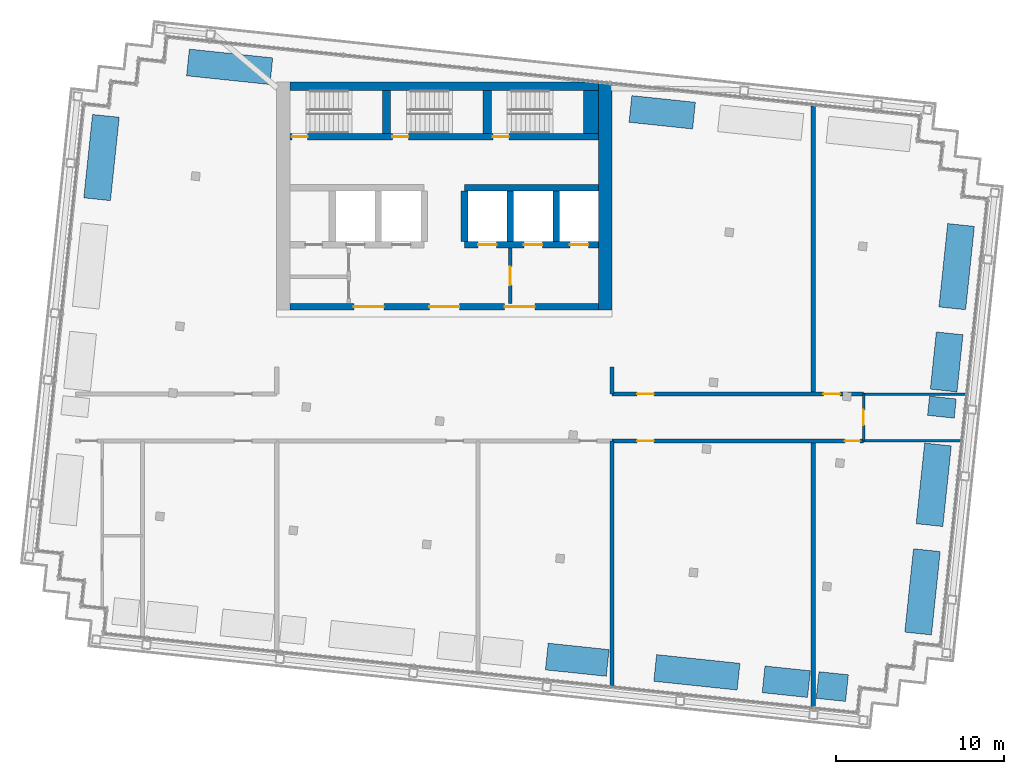
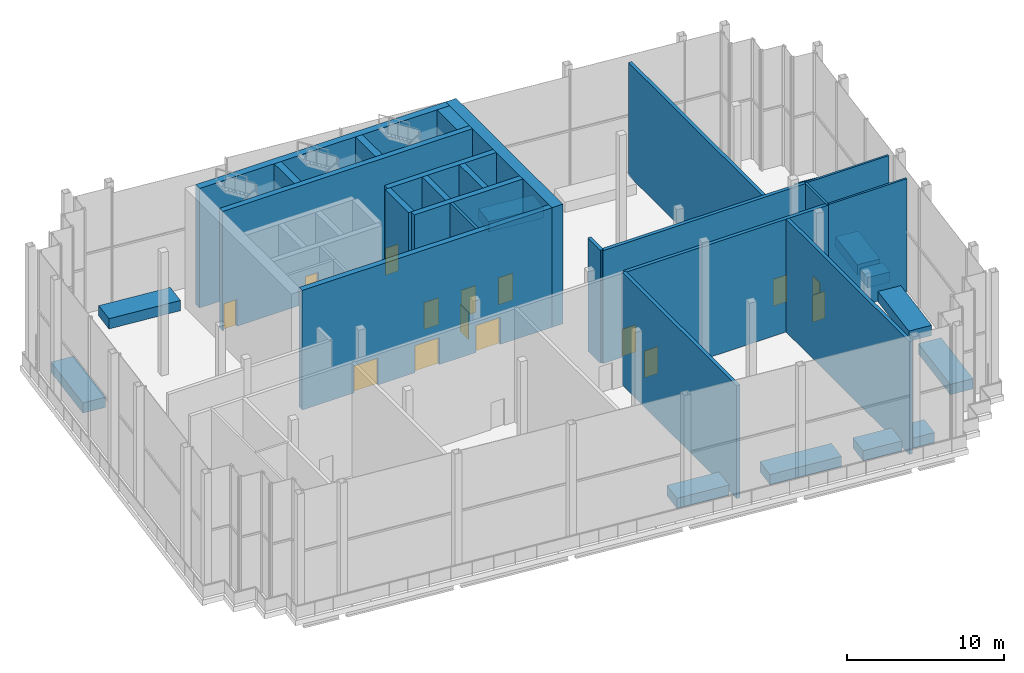
# One storey, part 9 of 14: 34 walls, 15 doors, 15 openings.
"""IFC4 building model written with IfcOpenShell, lengths in metres."""

import ifcopenshell
import ifcopenshell.guid

model = None  # the IFC model being written
_history = None  # IfcOwnerHistory: only IFC2X3 demands one
_inside = {}  # id of a spatial element -> (the spatial element, [elements in it])
_under = {}  # id of a project, library or spatial element -> (it, [spatial elements below it])
_declared = {}  # id of a project -> (the project, [libraries it declares])
_typed = {}  # id of a type object -> (the type object, [elements of that type])
_made_of = {}  # id of a material, layer set ... -> (it, [elements and type objects made of it])


def new_model(schema):
    """Start an empty IFC model of exactly this schema.

    Asked for "IFC4X3", IfcOpenShell would pick the latest addendum, in which some entities
    have other attributes; the version numbers below select the first issue.
    IFC2X3 requires an IfcOwnerHistory on every rooted entity: one is made here for all.
    """
    global model, _history
    if schema == "IFC4X3":
        model = ifcopenshell.file(schema_version=(4, 3, 0, 0))
    else:
        model = ifcopenshell.file(schema=schema)
    _inside.clear()
    _under.clear()
    _declared.clear()
    _typed.clear()
    _made_of.clear()
    _history = None
    if model.schema == "IFC2X3":
        org = make("IfcOrganization", Name="unknown")
        user = make(
            "IfcPersonAndOrganization",
            ThePerson=make("IfcPerson", FamilyName="unknown"),
            TheOrganization=org,
        )
        app = make(
            "IfcApplication",
            ApplicationDeveloper=org,
            Version="unknown",
            ApplicationFullName="unknown",
            ApplicationIdentifier="unknown",
        )
        _history = make(
            "IfcOwnerHistory",
            OwningUser=user,
            OwningApplication=app,
            ChangeAction="ADDED",
            CreationDate=0,
        )
    return model


def make(cls, **values):
    """One entity of the class cls with the attributes given. An attribute that is None is left unset."""
    return model.create_entity(
        cls, **{name: value for name, value in values.items() if value is not None}
    )


def rooted(cls, **values):
    """An entity with a GlobalId (a new one), such as an element, a storey or a relation."""
    return make(cls, GlobalId=ifcopenshell.guid.new(), OwnerHistory=_history, **values)


def si_unit(unit_type, name, prefix=None):
    """IfcSIUnit, for example si_unit("LENGTHUNIT", "METRE", prefix="MILLI")."""
    return make("IfcSIUnit", UnitType=unit_type, Prefix=prefix, Name=name)


def assignment(units):
    """IfcUnitAssignment: the units of a project."""
    return None if units is None else make("IfcUnitAssignment", Units=units)


def point(xyz):
    """IfcCartesianPoint."""
    return None if xyz is None else make("IfcCartesianPoint", Coordinates=xyz)


def direction(xyz):
    """IfcDirection."""
    return None if xyz is None else make("IfcDirection", DirectionRatios=xyz)


def frame(location, z_axis=None, x_axis=None):
    """IfcAxis2Placement3D, a coordinate frame: its origin and axes. An axis left out is left unset."""
    return make(
        "IfcAxis2Placement3D",
        Location=point(location),
        Axis=direction(z_axis),
        RefDirection=direction(x_axis),
    )


def frame_2d(location, x_axis=None):
    """IfcAxis2Placement2D, a coordinate frame in the plane: its origin and x axis."""
    return make(
        "IfcAxis2Placement2D", Location=point(location), RefDirection=direction(x_axis)
    )


def origin():
    """The frame at (0, 0, 0) with its axes left unset."""
    return frame((0.0, 0.0, 0.0))


def place(relative_to, where):
    """IfcLocalPlacement: puts the frame where relative to a parent placement (None: the world)."""
    return make(
        "IfcLocalPlacement", PlacementRelTo=relative_to, RelativePlacement=where
    )


def context(
    kind, dimensions, precision=None, world=None, true_north=None, identifier=None
):
    """IfcGeometricRepresentationContext, for example the 3D "Model" context."""
    return make(
        "IfcGeometricRepresentationContext",
        ContextIdentifier=identifier,
        ContextType=kind,
        CoordinateSpaceDimension=dimensions,
        Precision=precision,
        WorldCoordinateSystem=world,
        TrueNorth=true_north,
    )


def subcontext(parent, identifier, kind, view, scale=None):
    """IfcGeometricRepresentationSubContext, for example "Body" below "Model"."""
    return make(
        "IfcGeometricRepresentationSubContext",
        ContextIdentifier=identifier,
        ContextType=kind,
        ParentContext=parent,
        TargetScale=scale,
        TargetView=view,
    )


def project(units=None, contexts=None):
    """IfcProject with its units and contexts."""
    return rooted(
        "IfcProject",
        Name="project",
        RepresentationContexts=contexts,
        UnitsInContext=assignment(units),
    )


def spatial(cls, under=None, at=None, **own):
    """A site, building, storey or space (cls), placed at a placement, below another one or the project."""
    s = rooted(cls, ObjectPlacement=at, **own)
    if under is not None:
        _under.setdefault(under.id(), (under, []))[1].append(s)
    return s


def profile(cls, at=None, kind="AREA", **sizes):
    """A parametric profile (cls). Its sizes go by their IFC names, for example OverallWidth=200.0."""
    return make(cls, ProfileType=kind, Position=at, **sizes)


def rectangle(**sizes):
    """IfcRectangleProfileDef."""
    return profile("IfcRectangleProfileDef", **sizes)


def extrude(swept, where, along, depth):
    """IfcExtrudedAreaSolid: the profile swept, set in the frame where, extruded along a direction by depth."""
    return make(
        "IfcExtrudedAreaSolid",
        SweptArea=swept,
        Position=where,
        ExtrudedDirection=direction(along),
        Depth=depth,
    )


def shape(context_of_items, identifier, shape_type, items):
    """IfcShapeRepresentation: the items that make up one representation, for example the "Body"."""
    return make(
        "IfcShapeRepresentation",
        ContextOfItems=context_of_items,
        RepresentationIdentifier=identifier,
        RepresentationType=shape_type,
        Items=items,
    )


def material(Name=None, Category=None):
    """IfcMaterial."""
    return make("IfcMaterial", Name=Name, Category=Category)


def layer(
    of_material, thickness, ventilated=None, Name=None, Category=None, Priority=None
):
    """IfcMaterialLayer: one layer of a wall or slab, of a material (None: an air gap)."""
    return make(
        "IfcMaterialLayer",
        Material=of_material,
        LayerThickness=thickness,
        IsVentilated=ventilated,
        Name=Name,
        Category=Category,
        Priority=Priority,
    )


def layer_set(layers, Name=None):
    """IfcMaterialLayerSet."""
    return make("IfcMaterialLayerSet", MaterialLayers=layers, LayerSetName=Name)


def made_of(thing, what):
    """Note that an element or type object is made of a material, layer set ...; save() writes the relation."""
    if what is not None:
        _made_of.setdefault(what.id(), (what, []))[1].append(thing)
    return thing


def type_object(cls, material=None, **own):
    """A type object (cls), such as IfcWallType, which elements share."""
    return made_of(rooted(cls, **own), material)


def element(
    cls,
    number,
    at=None,
    inside=None,
    cuts=None,
    type_object=None,
    material=None,
    context=None,
    identifier="Body",
    shape_type=None,
    held_by="IfcProductDefinitionShape",
    body=None,
    shapes=None,
    **own,
):
    """One element of the class cls, such as IfcWall. Its Tag is "e" and its number.

    at: its placement. inside: the storey or other place that contains it. cuts: it is an
    opening in that element (IfcRelVoidsElement). A single representation is given by context,
    identifier, shape_type and body (its items); several are given by shapes. held_by: the class
    of the entity that holds the representations. save() writes the other relations.
    """
    e = rooted(cls, Tag="e%d" % number, ObjectPlacement=at, **own)
    if body is not None:
        shapes = [shape(context, identifier, shape_type, body)]
    if shapes is not None:
        e.Representation = make(held_by, Representations=shapes)
    if inside is not None:
        _inside.setdefault(inside.id(), (inside, []))[1].append(e)
    if cuts is not None:
        rooted(
            "IfcRelVoidsElement", RelatingBuildingElement=cuts, RelatedOpeningElement=e
        )
    if type_object is not None:
        _typed.setdefault(type_object.id(), (type_object, []))[1].append(e)
    return made_of(e, material)


def fill(opening, filler):
    """IfcRelFillsElement: the door or window that sits in an opening."""
    return rooted(
        "IfcRelFillsElement",
        RelatingOpeningElement=opening,
        RelatedBuildingElement=filler,
    )


def aggregate(whole, parts):
    """IfcRelAggregates: a whole, such as a stair, and the parts it consists of."""
    return rooted("IfcRelAggregates", RelatingObject=whole, RelatedObjects=parts)


def save(model, path):
    """Write the relations noted so far, then the file.

    IfcRelAggregates (storeys below a building ...), IfcRelContainedInSpatialStructure (elements
    in a storey), IfcRelDefinesByType, IfcRelAssociatesMaterial and IfcRelDeclares: one each for
    every whole, place, type object, material and project.
    """
    for whole, parts in _under.values():
        aggregate(whole, parts)
    for where, things in _inside.values():
        rooted(
            "IfcRelContainedInSpatialStructure",
            RelatedElements=things,
            RelatingStructure=where,
        )
    for kind, things in _typed.values():
        rooted("IfcRelDefinesByType", RelatedObjects=things, RelatingType=kind)
    for what, things in _made_of.values():
        rooted("IfcRelAssociatesMaterial", RelatedObjects=things, RelatingMaterial=what)
    for by, libraries in _declared.values():
        rooted("IfcRelDeclares", RelatingContext=by, RelatedDefinitions=libraries)
    model.write(path)


model = new_model("IFC4")

# Units and contexts
model_context = context("Model", 3, precision=1e-05, world=origin(), true_north=direction((0.0, 1.0)))
body_context = subcontext(model_context, "Body", "Model", "MODEL_VIEW")
ifc_project = project(units=[si_unit("LENGTHUNIT", "METRE"), si_unit("AREAUNIT", "SQUARE_METRE"), si_unit("VOLUMEUNIT", "CUBIC_METRE"), si_unit("PLANEANGLEUNIT", "RADIAN"), si_unit("MASSUNIT", "GRAM", prefix="KILO")], contexts=[model_context])

# Site, building, storey
site_placement = place(None, origin())
site = spatial("IfcSite", under=ifc_project, at=site_placement, CompositionType="ELEMENT")
building_placement = place(site_placement, origin())
building = spatial("IfcBuilding", under=site, at=building_placement, Name="Vidyagriha Tower", CompositionType="ELEMENT")
storey_placement = place(building_placement, frame((0.0, 0.0, 281.89990234375)))
storey = spatial("IfcBuildingStorey", under=building, at=storey_placement, Name="L74", CompositionType="ELEMENT", Elevation=281.89990234375)

# Walls
ifc_material_1 = material(Name="Precast concrete C40/50 with brick facing", Category="concrete")
ifc_layer_1 = layer(ifc_material_1, 1.60009765625)
ifc_layer_set_1 = layer_set([ifc_layer_1], Name="Precast concrete C40/50 with brick facing")
wall_type_1 = type_object("IfcWallType", Name="Brick planter box 1600", PredefinedType="STANDARD", material=ifc_layer_set_1)
wall_1_placement = place(storey_placement, frame((14.889404296875, 18.0029296875, 0.0), z_axis=(0.0, 0.0, 1.0), x_axis=(-0.994518426758, 0.104561459625, 0.0)))
element("IfcWall", 1, at=wall_1_placement, inside=storey, type_object=wall_type_1, Name="PLANTER L74 3", PredefinedType="STANDARD", context=body_context, shape_type="SweptSolid", body=[
    extrude(rectangle(XDim=3.81298828125, YDim=1.60009765625, at=frame_2d((1.906494140625, 0.0))), origin(), (0.0, 0.0, 1.0), 0.800048828125),
])
wall_2_placement = place(storey_placement, frame((-10.31689453125, 20.65234375, 0.0), z_axis=(0.0, 0.0, 1.0), x_axis=(-0.994525767953, 0.104491611519, 0.0)))
element("IfcWall", 2, at=wall_2_placement, inside=storey, type_object=wall_type_1, Name="PLANTER L74 4", PredefinedType="STANDARD", context=body_context, shape_type="SweptSolid", body=[
    extrude(rectangle(XDim=5.0, YDim=1.60009765625, at=frame_2d((2.5, 0.0))), origin(), (0.0, 0.0, 1.0), 0.800048828125),
])
wall_3_placement = place(storey_placement, frame((-20.184326171875, 17.989013671875, 0.0), z_axis=(0.0, 0.0, 1.0), x_axis=(-0.104544982588, -0.994520158979, 0.0)))
element("IfcWall", 3, at=wall_3_placement, inside=storey, type_object=wall_type_1, Name="PLANTER L74 5", PredefinedType="STANDARD", context=body_context, shape_type="SweptSolid", body=[
    extrude(rectangle(XDim=4.999755859375, YDim=1.60009765625, at=frame_2d((2.5, 0.0))), origin(), (0.0, 0.0, 1.0), 0.800048828125),
])
for number, where, z_axis, x_axis, name in (
    (4, (12.57373046875, -14.935302734375, 0.0), (0.0, 0.0, 1.0), (0.994520692635, -0.104539905878, 0.0), "PLANTER L74 14"),
    (5, (28.25390625, -12.88330078125, 0.0), (0.0, 0.0, 1.0), (0.104539905878, 0.994520692635, 0.0), "PLANTER L74 16"),
    (6, (30.292236328125, 6.510009765625, 0.0), (0.0, 0.0, 1.0), (0.104539905878, 0.994520692635, 0.0), "PLANTER L74 19"),
):
    element("IfcWall", number, at=place(storey_placement, frame(where, z_axis=z_axis, x_axis=x_axis)), inside=storey, type_object=wall_type_1, Name=name, PredefinedType="STANDARD", context=body_context, shape_type="SweptSolid", body=[
        extrude(rectangle(XDim=5.0, YDim=1.60009765625, at=frame_2d((2.5, 0.0))), origin(), (0.0, 0.0, 1.0), 0.800048828125),
    ])
wall_4_placement = place(storey_placement, frame((6.109375, -14.255859375, 0.0), z_axis=(0.0, 0.0, 1.0), x_axis=(0.994519363469, -0.104552549873, 0.0)))
element("IfcWall", 7, at=wall_4_placement, inside=storey, type_object=wall_type_1, Name="PLANTER L74 13", PredefinedType="STANDARD", context=body_context, shape_type="SweptSolid", body=[
    extrude(rectangle(XDim=3.652099609375, YDim=1.60009765625, at=frame_2d((1.826171875, 0.0))), origin(), (0.0, 0.0, 1.0), 0.800048828125),
])
wall_5_placement = place(storey_placement, frame((19.0380859375, -15.61474609375, 0.0), z_axis=(0.0, 0.0, 1.0), x_axis=(0.994520207121, -0.104544524617, 0.0)))
element("IfcWall", 8, at=wall_5_placement, inside=storey, type_object=wall_type_1, Name="PLANTER L74 15", PredefinedType="STANDARD", context=body_context, shape_type="SweptSolid", body=[
    extrude(rectangle(XDim=2.71826171875, YDim=1.60009765625, at=frame_2d((1.359130859375, 0.0))), origin(), (0.0, 0.0, 1.0), 0.800048828125),
])
wall_6_placement = place(storey_placement, frame((22.258544921875, -15.953125, 0.0), z_axis=(0.0, 0.0, 1.0), x_axis=(0.99451228436, -0.1046198655, 0.0)))
element("IfcWall", 9, at=wall_6_placement, inside=storey, type_object=wall_type_1, Name="PLANTER L74 15", PredefinedType="STANDARD", context=body_context, shape_type="SweptSolid", body=[
    extrude(rectangle(XDim=1.761962890625, YDim=1.60009765625, at=frame_2d((0.880859375, 0.0))), origin(), (0.0, 0.0, 1.0), 0.800048828125),
])
wall_7_placement = place(storey_placement, frame((28.93359375, -6.418701171875, 0.0), z_axis=(0.0, 0.0, 1.0), x_axis=(0.104490336863, 0.994525901876, 0.0)))
element("IfcWall", 10, at=wall_7_placement, inside=storey, type_object=wall_type_1, Name="PLANTER L74 17", PredefinedType="STANDARD", context=body_context, shape_type="SweptSolid", body=[
    extrude(rectangle(XDim=4.83642578125, YDim=1.60009765625, at=frame_2d((2.418212890625, 0.0))), origin(), (0.0, 0.0, 1.0), 0.800048828125),
])
wall_8_placement = place(storey_placement, frame((29.61279296875, 0.045654296875, 0.0), z_axis=(0.0, 0.0, 1.0), x_axis=(0.104684784518, 0.994505452921, 0.0)))
element("IfcWall", 11, at=wall_8_placement, inside=storey, type_object=wall_type_1, Name="PLANTER L74 18", PredefinedType="STANDARD", context=body_context, shape_type="SweptSolid", body=[
    extrude(rectangle(XDim=1.152099609375, YDim=1.60009765625, at=frame_2d((0.576171875, 0.0))), origin(), (0.0, 0.0, 1.0), 0.800048828125),
])
wall_9_placement = place(storey_placement, frame((29.777099609375, 1.608642578125, 0.0), z_axis=(0.0, 0.0, 1.0), x_axis=(0.104536510151, 0.994521049574, 0.0)))
element("IfcWall", 12, at=wall_9_placement, inside=storey, type_object=wall_type_1, Name="PLANTER L74 18", PredefinedType="STANDARD", context=body_context, shape_type="SweptSolid", body=[
    extrude(rectangle(XDim=3.428466796875, YDim=1.60009765625, at=frame_2d((1.71435546875, 0.0))), origin(), (0.0, 0.0, 1.0), 0.800048828125),
])

# Wall, openings, doors
ifc_material_2 = material(Name="Concrete C60/75", Category="concrete")
ifc_layer_2 = layer(ifc_material_2, 0.39990234375)
ifc_layer_set_2 = layer_set([ifc_layer_2], Name="Concrete C60/75")
wall_type_2 = type_object("IfcWallType", Name="Core shear wall 400 mm", PredefinedType="SHEAR", material=ifc_layer_set_2)
wall_10_placement = place(storey_placement, frame((-9.199951171875, 6.60009765625, 0.0)))
wall_10 = element("IfcWall", 13, at=wall_10_placement, inside=storey, type_object=wall_type_2, Name="Core south wall", PredefinedType="SHEAR", context=body_context, shape_type="SweptSolid", body=[
    extrude(rectangle(XDim=18.39990234375, YDim=0.39990234375, at=frame_2d((9.199951171875, 0.0))), origin(), (0.0, 0.0, 1.0), 9.320068359375),
])
opening_1_placement = place(wall_10_placement, frame((8.300048828125, 0.0, 0.0)))
opening_1 = element("IfcOpeningElement", 14, at=opening_1_placement, cuts=wall_10, Name="Opening D74-01", PredefinedType="OPENING", context=body_context, shape_type="SweptSolid", body=[
    extrude(rectangle(XDim=1.800048828125, YDim=2.10009765625, at=frame_2d((0.89990234375, 1.050048828125))), frame((0.0, 0.2099609375, 0.0), z_axis=(0.0, -1.0, 0.0), x_axis=(1.0, 0.0, 0.0)), (0.0, 0.0, 1.0), 0.419921875),
])
opening_2_placement = place(wall_10_placement, frame((3.800048828125, 0.0, 0.0)))
opening_2 = element("IfcOpeningElement", 15, at=opening_2_placement, cuts=wall_10, Name="Opening D74-02", PredefinedType="OPENING", context=body_context, shape_type="SweptSolid", body=[
    extrude(rectangle(XDim=1.800048828125, YDim=2.10009765625, at=frame_2d((0.89990234375, 1.050048828125))), frame((0.0, 0.2099609375, 0.0), z_axis=(0.0, -1.0, 0.0), x_axis=(1.0, 0.0, 0.0)), (0.0, 0.0, 1.0), 0.419921875),
])
opening_3_placement = place(wall_10_placement, frame((12.800048828125, 0.0, 0.0)))
opening_3 = element("IfcOpeningElement", 16, at=opening_3_placement, cuts=wall_10, Name="Opening D74-03", PredefinedType="OPENING", context=body_context, shape_type="SweptSolid", body=[
    extrude(rectangle(XDim=1.800048828125, YDim=2.10009765625, at=frame_2d((0.89990234375, 1.050048828125))), frame((0.0, 0.2099609375, 0.0), z_axis=(0.0, -1.0, 0.0), x_axis=(1.0, 0.0, 0.0)), (0.0, 0.0, 1.0), 0.419921875),
])
ifc_material_3 = material(Name="Hollow metal door leaf")
door_type_1 = type_object("IfcDoorType", Name="Core lobby double door 1800 x 2100 mm EI 60", OperationType="NOTDEFINED", PredefinedType="DOOR", material=ifc_material_3)
door_1_placement = place(opening_1_placement, frame((1.800048828125, 0.0, 0.0), z_axis=(0.0, 0.0, 1.0), x_axis=(-1.0, 0.0, 0.0)))
door_1 = element("IfcDoor", 17, at=door_1_placement, inside=storey, type_object=door_type_1, Name="Core entrance door L74", OperationType="DOUBLE_DOOR_SINGLE_SWING", OverallHeight=2.10009765625, OverallWidth=1.800048828125, PredefinedType="DOOR", context=body_context, shape_type="SweptSolid", body=[
    extrude(rectangle(XDim=1.800048828125, YDim=2.10009765625, at=frame_2d((0.89990234375, 1.050048828125))), frame((0.0, 0.02490234375, 0.0), z_axis=(0.0, -1.0, 0.0), x_axis=(1.0, 0.0, 0.0)), (0.0, 0.0, 1.0), 0.050048828125),
])
fill(opening_1, door_1)
door_2_placement = place(opening_2_placement, frame((1.800048828125, 0.0, 0.0), z_axis=(0.0, 0.0, 1.0), x_axis=(-1.0, 0.0, 0.0)))
door_2 = element("IfcDoor", 18, at=door_2_placement, inside=storey, type_object=door_type_1, Name="Core entrance door west L74", OperationType="DOUBLE_DOOR_SINGLE_SWING", OverallHeight=2.10009765625, OverallWidth=1.800048828125, PredefinedType="DOOR", context=body_context, shape_type="SweptSolid", body=[
    extrude(rectangle(XDim=1.800048828125, YDim=2.10009765625, at=frame_2d((0.89990234375, 1.050048828125))), frame((0.0, 0.02490234375, 0.0), z_axis=(0.0, -1.0, 0.0), x_axis=(1.0, 0.0, 0.0)), (0.0, 0.0, 1.0), 0.050048828125),
])
fill(opening_2, door_2)
door_3_placement = place(opening_3_placement, frame((1.800048828125, 0.0, 0.0), z_axis=(0.0, 0.0, 1.0), x_axis=(-1.0, 0.0, 0.0)))
door_3 = element("IfcDoor", 19, at=door_3_placement, inside=storey, type_object=door_type_1, Name="Core entrance door east L74", OperationType="DOUBLE_DOOR_SINGLE_SWING", OverallHeight=2.10009765625, OverallWidth=1.800048828125, PredefinedType="DOOR", context=body_context, shape_type="SweptSolid", body=[
    extrude(rectangle(XDim=1.800048828125, YDim=2.10009765625, at=frame_2d((0.89990234375, 1.050048828125))), frame((0.0, 0.02490234375, 0.0), z_axis=(0.0, -1.0, 0.0), x_axis=(1.0, 0.0, 0.0)), (0.0, 0.0, 1.0), 0.050048828125),
])
fill(opening_3, door_3)

wall_11_placement = place(storey_placement, frame((1.199951171875, 10.300048828125, 0.0)))
wall_11 = element("IfcWall", 20, at=wall_11_placement, inside=storey, type_object=wall_type_2, Name="Core row N front wall", PredefinedType="SHEAR", context=body_context, shape_type="SweptSolid", body=[
    extrude(rectangle(XDim=8.0, YDim=0.39990234375, at=frame_2d((4.0, 0.0))), origin(), (0.0, 0.0, 1.0), 9.320068359375),
])
opening_4_placement = place(wall_11_placement, frame((0.816650390625, 0.0, 0.0)))
opening_4 = element("IfcOpeningElement", 21, at=opening_4_placement, cuts=wall_11, Name="Opening LD74-03", PredefinedType="OPENING", context=body_context, shape_type="SweptSolid", body=[
    extrude(rectangle(XDim=1.10009765625, YDim=2.10009765625, at=frame_2d((0.550048828125, 1.050048828125))), frame((0.0, 0.2099609375, 0.0), z_axis=(0.0, -1.0, 0.0), x_axis=(1.0, 0.0, 0.0)), (0.0, 0.0, 1.0), 0.419921875),
])
opening_5_placement = place(wall_11_placement, frame((3.550048828125, 0.0, 0.0)))
opening_5 = element("IfcOpeningElement", 22, at=opening_5_placement, cuts=wall_11, Name="Opening LD74-04", PredefinedType="OPENING", context=body_context, shape_type="SweptSolid", body=[
    extrude(rectangle(XDim=1.10009765625, YDim=2.10009765625, at=frame_2d((0.550048828125, 1.050048828125))), frame((0.0, 0.2099609375, 0.0), z_axis=(0.0, -1.0, 0.0), x_axis=(1.0, 0.0, 0.0)), (0.0, 0.0, 1.0), 0.419921875),
])
opening_6_placement = place(wall_11_placement, frame((6.283203125, 0.0, 0.0)))
opening_6 = element("IfcOpeningElement", 23, at=opening_6_placement, cuts=wall_11, Name="Opening LD74-05", PredefinedType="OPENING", context=body_context, shape_type="SweptSolid", body=[
    extrude(rectangle(XDim=1.10009765625, YDim=2.10009765625, at=frame_2d((0.550048828125, 1.050048828125))), frame((0.0, 0.2099609375, 0.0), z_axis=(0.0, -1.0, 0.0), x_axis=(1.0, 0.0, 0.0)), (0.0, 0.0, 1.0), 0.419921875),
])
ifc_material_4 = material(Name="Stainless steel sliding door panel", Category="steel")
door_type_2 = type_object("IfcDoorType", Name="Lift landing door 1100 x 2100 mm EI 90", OperationType="NOTDEFINED", PredefinedType="DOOR", material=ifc_material_4)
door_4_placement = place(opening_4_placement, origin())
door_4 = element("IfcDoor", 24, at=door_4_placement, inside=storey, type_object=door_type_2, Name="Landing door HR3 L74", OperationType="SLIDING_TO_LEFT", OverallHeight=2.10009765625, OverallWidth=1.10009765625, PredefinedType="DOOR", context=body_context, shape_type="SweptSolid", body=[
    extrude(rectangle(XDim=1.10009765625, YDim=2.10009765625, at=frame_2d((0.550048828125, 1.050048828125))), frame((0.0, 0.02490234375, 0.0), z_axis=(0.0, -1.0, 0.0), x_axis=(1.0, 0.0, 0.0)), (0.0, 0.0, 1.0), 0.050048828125),
])
fill(opening_4, door_4)
door_5_placement = place(opening_5_placement, origin())
door_5 = element("IfcDoor", 25, at=door_5_placement, inside=storey, type_object=door_type_2, Name="Landing door FF1 L74", OperationType="SLIDING_TO_LEFT", OverallHeight=2.10009765625, OverallWidth=1.10009765625, PredefinedType="DOOR", context=body_context, shape_type="SweptSolid", body=[
    extrude(rectangle(XDim=1.10009765625, YDim=2.10009765625, at=frame_2d((0.550048828125, 1.050048828125))), frame((0.0, 0.02490234375, 0.0), z_axis=(0.0, -1.0, 0.0), x_axis=(1.0, 0.0, 0.0)), (0.0, 0.0, 1.0), 0.050048828125),
])
fill(opening_5, door_5)
door_6_placement = place(opening_6_placement, origin())
door_6 = element("IfcDoor", 26, at=door_6_placement, inside=storey, type_object=door_type_2, Name="Landing door FF2 L74", OperationType="SLIDING_TO_LEFT", OverallHeight=2.10009765625, OverallWidth=1.10009765625, PredefinedType="DOOR", context=body_context, shape_type="SweptSolid", body=[
    extrude(rectangle(XDim=1.10009765625, YDim=2.10009765625, at=frame_2d((0.550048828125, 1.050048828125))), frame((0.0, 0.02490234375, 0.0), z_axis=(0.0, -1.0, 0.0), x_axis=(1.0, 0.0, 0.0)), (0.0, 0.0, 1.0), 0.050048828125),
])
fill(opening_6, door_6)

# Walls
wall_12_placement = place(storey_placement, frame((1.199951171875, 13.699951171875, 0.0)))
element("IfcWall", 27, at=wall_12_placement, inside=storey, type_object=wall_type_2, Name="Core row N rear wall", PredefinedType="SHEAR", context=body_context, shape_type="SweptSolid", body=[
    extrude(rectangle(XDim=8.0, YDim=0.39990234375, at=frame_2d((4.0, 0.0))), origin(), (0.0, 0.0, 1.0), 9.320068359375),
])
for number, where, z_axis, x_axis, name in (
    (28, (1.199951171875, 10.5, 0.0), (0.0, 0.0, 1.0), (0.0, 1.0, 0.0), "Core bay wall N4"),
    (29, (3.933349609375, 10.5, 0.0), (0.0, 0.0, 1.0), (0.0, 1.0, 0.0), "Core bay wall N5"),
    (30, (6.666748046875, 10.5, 0.0), (0.0, 0.0, 1.0), (0.0, 1.0, 0.0), "Core bay wall N6"),
):
    element("IfcWall", number, at=place(storey_placement, frame(where, z_axis=z_axis, x_axis=x_axis)), inside=storey, type_object=wall_type_2, Name=name, PredefinedType="SHEAR", context=body_context, shape_type="SweptSolid", body=[
        extrude(rectangle(XDim=3.0, YDim=0.39990234375, at=frame_2d((1.5, 0.0))), origin(), (0.0, 0.0, 1.0), 9.320068359375),
    ])

# Wall, openings, doors
wall_13_placement = place(storey_placement, frame((-9.199951171875, 16.75, 0.0)))
wall_13 = element("IfcWall", 31, at=wall_13_placement, inside=storey, type_object=wall_type_2, Name="Stair front wall", PredefinedType="SHEAR", context=body_context, shape_type="SweptSolid", body=[
    extrude(rectangle(XDim=18.39990234375, YDim=0.39990234375, at=frame_2d((9.199951171875, 0.0))), origin(), (0.0, 0.0, 1.0), 9.320068359375),
])
opening_7_placement = place(wall_13_placement, frame((0.10009765625, 0.0, 0.0)))
opening_7 = element("IfcOpeningElement", 32, at=opening_7_placement, cuts=wall_13, Name="Opening D74-06", PredefinedType="OPENING", context=body_context, shape_type="SweptSolid", body=[
    extrude(rectangle(XDim=0.949951171875, YDim=2.10009765625, at=frame_2d((0.47509765625, 1.050048828125))), frame((0.0, 0.2099609375, 0.0), z_axis=(0.0, -1.0, 0.0), x_axis=(1.0, 0.0, 0.0)), (0.0, 0.0, 1.0), 0.419921875),
])
opening_8_placement = place(wall_13_placement, frame((6.10009765625, 0.0, 0.0)))
opening_8 = element("IfcOpeningElement", 33, at=opening_8_placement, cuts=wall_13, Name="Opening D74-07", PredefinedType="OPENING", context=body_context, shape_type="SweptSolid", body=[
    extrude(rectangle(XDim=0.949951171875, YDim=2.10009765625, at=frame_2d((0.47509765625, 1.050048828125))), frame((0.0, 0.2099609375, 0.0), z_axis=(0.0, -1.0, 0.0), x_axis=(1.0, 0.0, 0.0)), (0.0, 0.0, 1.0), 0.419921875),
])
opening_9_placement = place(wall_13_placement, frame((12.10009765625, 0.0, 0.0)))
opening_9 = element("IfcOpeningElement", 34, at=opening_9_placement, cuts=wall_13, Name="Opening D74-08", PredefinedType="OPENING", context=body_context, shape_type="SweptSolid", body=[
    extrude(rectangle(XDim=0.949951171875, YDim=2.10009765625, at=frame_2d((0.47509765625, 1.050048828125))), frame((0.0, 0.2099609375, 0.0), z_axis=(0.0, -1.0, 0.0), x_axis=(1.0, 0.0, 0.0)), (0.0, 0.0, 1.0), 0.419921875),
])
ifc_material_5 = material(Name="Hollow metal door leaf")
door_type_3 = type_object("IfcDoorType", Name="Exit stair door 950 x 2100 mm EI 90", OperationType="NOTDEFINED", PredefinedType="DOOR", material=ifc_material_5)
door_7_placement = place(opening_7_placement, origin())
door_7 = element("IfcDoor", 35, at=door_7_placement, inside=storey, type_object=door_type_3, Name="Stair door ST1 L74", OperationType="SINGLE_SWING_LEFT", OverallHeight=2.10009765625, OverallWidth=0.949951171875, PredefinedType="DOOR", context=body_context, shape_type="SweptSolid", body=[
    extrude(rectangle(XDim=0.949951171875, YDim=2.10009765625, at=frame_2d((0.47509765625, 1.050048828125))), frame((0.0, 0.02490234375, 0.0), z_axis=(0.0, -1.0, 0.0), x_axis=(1.0, 0.0, 0.0)), (0.0, 0.0, 1.0), 0.050048828125),
])
fill(opening_7, door_7)
door_8_placement = place(opening_8_placement, origin())
door_8 = element("IfcDoor", 36, at=door_8_placement, inside=storey, type_object=door_type_3, Name="Stair door ST2 L74", OperationType="SINGLE_SWING_LEFT", OverallHeight=2.10009765625, OverallWidth=0.949951171875, PredefinedType="DOOR", context=body_context, shape_type="SweptSolid", body=[
    extrude(rectangle(XDim=0.949951171875, YDim=2.10009765625, at=frame_2d((0.47509765625, 1.050048828125))), frame((0.0, 0.02490234375, 0.0), z_axis=(0.0, -1.0, 0.0), x_axis=(1.0, 0.0, 0.0)), (0.0, 0.0, 1.0), 0.050048828125),
])
fill(opening_8, door_8)
door_9_placement = place(opening_9_placement, origin())
door_9 = element("IfcDoor", 37, at=door_9_placement, inside=storey, type_object=door_type_3, Name="Stair door ST3 L74", OperationType="SINGLE_SWING_LEFT", OverallHeight=2.10009765625, OverallWidth=0.949951171875, PredefinedType="DOOR", context=body_context, shape_type="SweptSolid", body=[
    extrude(rectangle(XDim=0.949951171875, YDim=2.10009765625, at=frame_2d((0.47509765625, 1.050048828125))), frame((0.0, 0.02490234375, 0.0), z_axis=(0.0, -1.0, 0.0), x_axis=(1.0, 0.0, 0.0)), (0.0, 0.0, 1.0), 0.050048828125),
])
fill(opening_9, door_9)

# Walls
ifc_material_6 = material(Name="Concrete C60/75", Category="concrete")
ifc_layer_3 = layer(ifc_material_6, 0.5)
ifc_layer_set_3 = layer_set([ifc_layer_3], Name="Concrete C60/75")
wall_type_3 = type_object("IfcWallType", Name="Core shear wall 500 mm", PredefinedType="SHEAR", material=ifc_layer_set_3)
wall_14_placement = place(storey_placement, frame((-9.199951171875, 19.75, 0.0)))
element("IfcWall", 38, at=wall_14_placement, inside=storey, type_object=wall_type_3, Name="Core north wall", PredefinedType="SHEAR", context=body_context, shape_type="SweptSolid", body=[
    extrude(rectangle(XDim=18.39990234375, YDim=0.5, at=frame_2d((9.199951171875, 0.0))), origin(), (0.0, 0.0, 1.0), 9.320068359375),
])
for number, where, z_axis, x_axis, name in (
    (39, (-3.449951171875, 16.949951171875, 0.0), (0.0, 0.0, 1.0), (0.0, 1.0, 0.0), "Stair partition wall 1"),
    (40, (2.550048828125, 16.949951171875, 0.0), (0.0, 0.0, 1.0), (0.0, 1.0, 0.0), "Stair partition wall 2"),
):
    element("IfcWall", number, at=place(storey_placement, frame(where, z_axis=z_axis, x_axis=x_axis)), inside=storey, type_object=wall_type_3, Name=name, PredefinedType="SHEAR", context=body_context, shape_type="SweptSolid", body=[
        extrude(rectangle(XDim=2.550048828125, YDim=0.5, at=frame_2d((1.27490234375, 0.0))), origin(), (0.0, 0.0, 1.0), 9.320068359375),
    ])
ifc_material_7 = material(Name="Concrete C60/75", Category="concrete")
ifc_layer_4 = layer(ifc_material_7, 0.800048828125)
ifc_layer_set_4 = layer_set([ifc_layer_4], Name="Concrete C60/75")
wall_type_4 = type_object("IfcWallType", Name="Core shear wall 800 mm", PredefinedType="SHEAR", material=ifc_layer_set_4)
wall_15_placement = place(storey_placement, frame((9.60009765625, 6.39990234375, 0.0), z_axis=(0.0, 0.0, 1.0), x_axis=(0.0, 1.0, 0.0)))
element("IfcWall", 41, at=wall_15_placement, inside=storey, type_object=wall_type_4, Name="Core east wall", PredefinedType="SHEAR", context=body_context, shape_type="SweptSolid", body=[
    extrude(rectangle(XDim=13.60009765625, YDim=0.800048828125, at=frame_2d((6.800048828125, 0.0))), origin(), (0.0, 0.0, 1.0), 9.320068359375),
])
ifc_material_8 = material(Name="Concrete C60/75", Category="concrete")
ifc_layer_5 = layer(ifc_material_8, 0.89990234375)
ifc_layer_set_5 = layer_set([ifc_layer_5], Name="Concrete C60/75")
wall_type_5 = type_object("IfcWallType", Name="Core shear wall 900 mm", PredefinedType="SHEAR", material=ifc_layer_set_5)
wall_16_placement = place(storey_placement, frame((8.75, 16.949951171875, 0.0), z_axis=(0.0, 0.0, 1.0), x_axis=(0.0, 1.0, 0.0)))
element("IfcWall", 42, at=wall_16_placement, inside=storey, type_object=wall_type_5, Name="Stair end wall", PredefinedType="SHEAR", context=body_context, shape_type="SweptSolid", body=[
    extrude(rectangle(XDim=2.550048828125, YDim=0.89990234375, at=frame_2d((1.27490234375, 0.0))), origin(), (0.0, 0.0, 1.0), 9.320068359375),
])

# Wall, openings, doors
ifc_material_9 = material(Name="Fired clay brick masonry", Category="masonry")
ifc_layer_6 = layer(ifc_material_9, 0.25)
ifc_layer_set_6 = layer_set([ifc_layer_6], Name="Fired clay brick masonry")
wall_type_6 = type_object("IfcWallType", Name="Fired clay brick corridor wall 250", PredefinedType="PARTITIONING", material=ifc_layer_set_6)
wall_17_placement = place(storey_placement, frame((25.0, -1.39990234375, 0.0), z_axis=(0.0, 0.0, 1.0), x_axis=(-1.0, 0.0, 0.0)))
wall_17 = element("IfcWall", 43, at=wall_17_placement, inside=storey, type_object=wall_type_6, Name="Wall all-L74-w012", PredefinedType="PARTITIONING", context=body_context, shape_type="SweptSolid", body=[
    extrude(rectangle(XDim=15.0, YDim=0.25, at=frame_2d((7.5, 0.0))), origin(), (0.0, 0.0, 1.0), 8.800048828125),
])
opening_10_placement = place(wall_17_placement, frame((12.5, 0.0, 0.0)))
opening_10 = element("IfcOpeningElement", 44, at=opening_10_placement, cuts=wall_17, Name="Opening D74-16", PredefinedType="OPENING", context=body_context, shape_type="SweptSolid", body=[
    extrude(rectangle(XDim=1.0, YDim=2.10009765625, at=frame_2d((0.5, 1.050048828125))), frame((0.0, 0.135009765625, 0.0), z_axis=(0.0, -1.0, 0.0), x_axis=(1.0, 0.0, 0.0)), (0.0, 0.0, 1.0), 0.27001953125),
])
opening_11_placement = place(wall_17_placement, frame((0.216796875, 0.0, 0.0)))
opening_11 = element("IfcOpeningElement", 45, at=opening_11_placement, cuts=wall_17, Name="Opening D74-17", PredefinedType="OPENING", context=body_context, shape_type="SweptSolid", body=[
    extrude(rectangle(XDim=0.89990234375, YDim=2.10009765625, at=frame_2d((0.449951171875, 1.050048828125))), frame((0.0, 0.135009765625, 0.0), z_axis=(0.0, -1.0, 0.0), x_axis=(1.0, 0.0, 0.0)), (0.0, 0.0, 1.0), 0.27001953125),
])
ifc_material_10 = material(Name="Fire-rated timber door leaf EI 60", Category="wood")
door_type_4 = type_object("IfcDoorType", Name="Flat entrance fire door 1000x2100", OperationType="NOTDEFINED", PredefinedType="DOOR", material=ifc_material_10)
door_10_placement = place(opening_10_placement, origin())
door_10 = element("IfcDoor", 46, at=door_10_placement, inside=storey, type_object=door_type_4, Name="Door D74-16", OperationType="SINGLE_SWING_RIGHT", OverallHeight=2.10009765625, OverallWidth=1.0, PredefinedType="DOOR", context=body_context, shape_type="SweptSolid", body=[
    extrude(rectangle(XDim=1.0, YDim=2.10009765625, at=frame_2d((0.5, 1.050048828125))), frame((0.0, 0.02490234375, 0.0), z_axis=(0.0, -1.0, 0.0), x_axis=(1.0, 0.0, 0.0)), (0.0, 0.0, 1.0), 0.050048828125),
])
fill(opening_10, door_10)
ifc_material_11 = material(Name="Fire-rated timber door leaf EI 60", Category="wood")
door_type_5 = type_object("IfcDoorType", Name="Flat entrance fire door 900x2100", OperationType="NOTDEFINED", PredefinedType="DOOR", material=ifc_material_11)
door_11_placement = place(opening_11_placement, origin())
door_11 = element("IfcDoor", 47, at=door_11_placement, inside=storey, type_object=door_type_5, Name="Door D74-17", OperationType="SINGLE_SWING_RIGHT", OverallHeight=2.10009765625, OverallWidth=0.89990234375, PredefinedType="DOOR", context=body_context, shape_type="SweptSolid", body=[
    extrude(rectangle(XDim=0.89990234375, YDim=2.10009765625, at=frame_2d((0.449951171875, 1.050048828125))), frame((0.0, 0.02490234375, 0.0), z_axis=(0.0, -1.0, 0.0), x_axis=(1.0, 0.0, 0.0)), (0.0, 0.0, 1.0), 0.050048828125),
])
fill(opening_11, door_11)

wall_18_placement = place(storey_placement, frame((10.0, 1.39990234375, 0.0)))
wall_18 = element("IfcWall", 48, at=wall_18_placement, inside=storey, type_object=wall_type_6, Name="Wall all-L74-w020", PredefinedType="PARTITIONING", context=body_context, shape_type="SweptSolid", body=[
    extrude(rectangle(XDim=15.0, YDim=0.25, at=frame_2d((7.5, 0.0))), origin(), (0.0, 0.0, 1.0), 8.800048828125),
])
opening_12_placement = place(wall_18_placement, frame((1.5, 0.0, 0.0)))
opening_12 = element("IfcOpeningElement", 49, at=opening_12_placement, cuts=wall_18, Name="Opening D74-19", PredefinedType="OPENING", context=body_context, shape_type="SweptSolid", body=[
    extrude(rectangle(XDim=1.0, YDim=2.10009765625, at=frame_2d((0.5, 1.050048828125))), frame((0.0, 0.135009765625, 0.0), z_axis=(0.0, -1.0, 0.0), x_axis=(1.0, 0.0, 0.0)), (0.0, 0.0, 1.0), 0.27001953125),
])
opening_13_placement = place(wall_18_placement, frame((12.60400390625, 0.0, 0.0)))
opening_13 = element("IfcOpeningElement", 50, at=opening_13_placement, cuts=wall_18, Name="Opening D74-20", PredefinedType="OPENING", context=body_context, shape_type="SweptSolid", body=[
    extrude(rectangle(XDim=1.0, YDim=2.10009765625, at=frame_2d((0.5, 1.050048828125))), frame((0.0, 0.135009765625, 0.0), z_axis=(0.0, -1.0, 0.0), x_axis=(1.0, 0.0, 0.0)), (0.0, 0.0, 1.0), 0.27001953125),
])
door_12_placement = place(opening_12_placement, origin())
door_12 = element("IfcDoor", 51, at=door_12_placement, inside=storey, type_object=door_type_4, Name="Door D74-19", OperationType="SINGLE_SWING_LEFT", OverallHeight=2.10009765625, OverallWidth=1.0, PredefinedType="DOOR", context=body_context, shape_type="SweptSolid", body=[
    extrude(rectangle(XDim=1.0, YDim=2.10009765625, at=frame_2d((0.5, 1.050048828125))), frame((0.0, 0.02490234375, 0.0), z_axis=(0.0, -1.0, 0.0), x_axis=(1.0, 0.0, 0.0)), (0.0, 0.0, 1.0), 0.050048828125),
])
fill(opening_12, door_12)
door_13_placement = place(opening_13_placement, origin())
door_13 = element("IfcDoor", 52, at=door_13_placement, inside=storey, type_object=door_type_4, Name="Door D74-20", OperationType="SINGLE_SWING_LEFT", OverallHeight=2.10009765625, OverallWidth=1.0, PredefinedType="DOOR", context=body_context, shape_type="SweptSolid", body=[
    extrude(rectangle(XDim=1.0, YDim=2.10009765625, at=frame_2d((0.5, 1.050048828125))), frame((0.0, 0.02490234375, 0.0), z_axis=(0.0, -1.0, 0.0), x_axis=(1.0, 0.0, 0.0)), (0.0, 0.0, 1.0), 0.050048828125),
])
fill(opening_13, door_13)

# Walls
wall_19_placement = place(storey_placement, frame((10.0, 1.39990234375, 0.0), z_axis=(0.0, 0.0, 1.0), x_axis=(0.0, 1.0, 0.0)))
element("IfcWall", 53, at=wall_19_placement, inside=storey, type_object=wall_type_6, Name="Wall all-L74-w030", PredefinedType="PARTITIONING", context=body_context, shape_type="SweptSolid", body=[
    extrude(rectangle(XDim=1.60009765625, YDim=0.25, at=frame_2d((0.800048828125, 0.0))), origin(), (0.0, 0.0, 1.0), 8.800048828125),
])
ifc_material_12 = material(Name="Fired clay brick masonry", Category="masonry")
ifc_layer_7 = layer(ifc_material_12, 0.25)
ifc_layer_set_7 = layer_set([ifc_layer_7], Name="Fired clay brick masonry")
wall_type_7 = type_object("IfcWallType", Name="Fired clay brick demising wall 250", PredefinedType="PARTITIONING", material=ifc_layer_set_7)
wall_20_placement = place(storey_placement, frame((10.0, -1.39990234375, 0.0), z_axis=(0.0, 0.0, 1.0), x_axis=(0.0, -1.0, 0.0)))
element("IfcWall", 54, at=wall_20_placement, inside=storey, type_object=wall_type_7, Name="Wall all-L74-w018", PredefinedType="PARTITIONING", context=body_context, shape_type="SweptSolid", body=[
    extrude(rectangle(XDim=14.59326171875, YDim=0.25, at=frame_2d((7.296630859375, 0.0))), origin(), (0.0, 0.0, 1.0), 8.800048828125),
])
wall_21_placement = place(storey_placement, frame((22.0, -1.39990234375, 0.0), z_axis=(0.0, 0.0, 1.0), x_axis=(0.0, -1.0, 0.0)))
element("IfcWall", 55, at=wall_21_placement, inside=storey, type_object=wall_type_7, Name="Wall all-L74-w019", PredefinedType="PARTITIONING", context=body_context, shape_type="SweptSolid", body=[
    extrude(rectangle(XDim=15.8544921875, YDim=0.25, at=frame_2d((7.92724609375, 0.0))), origin(), (0.0, 0.0, 1.0), 8.800048828125),
])
wall_22_placement = place(storey_placement, frame((22.0, 18.583984375, 0.0), z_axis=(0.0, 0.0, 1.0), x_axis=(0.0, -1.0, 0.0)))
element("IfcWall", 56, at=wall_22_placement, inside=storey, type_object=wall_type_7, Name="Wall all-L74-w024", PredefinedType="PARTITIONING", context=body_context, shape_type="SweptSolid", body=[
    extrude(rectangle(XDim=17.18408203125, YDim=0.25, at=frame_2d((8.592041015625, 0.0))), origin(), (0.0, 0.0, 1.0), 8.800048828125),
])
ifc_material_13 = material(Name="Gypsum board partition")
ifc_layer_8 = layer(ifc_material_13, 0.14990234375)
ifc_layer_set_8 = layer_set([ifc_layer_8], Name="Gypsum board partition")
wall_type_8 = type_object("IfcWallType", Name="Gypsum board partition 150", PredefinedType="PARTITIONING", material=ifc_layer_set_8)
wall_23_placement = place(storey_placement, frame((30.79833984375, -1.39990234375, 0.0), z_axis=(0.0, 0.0, 1.0), x_axis=(-1.0, 0.0, 0.0)))
element("IfcWall", 57, at=wall_23_placement, inside=storey, type_object=wall_type_8, Name="Wall all-L74-w013", PredefinedType="PARTITIONING", context=body_context, shape_type="SweptSolid", body=[
    extrude(rectangle(XDim=5.79833984375, YDim=0.14990234375, at=frame_2d((2.899169921875, 0.0))), origin(), (0.0, 0.0, 1.0), 8.800048828125),
])

# Wall, opening, door
wall_24_placement = place(storey_placement, frame((25.0, -1.39990234375, 0.0), z_axis=(0.0, 0.0, 1.0), x_axis=(0.0, 1.0, 0.0)))
wall_24 = element("IfcWall", 58, at=wall_24_placement, inside=storey, type_object=wall_type_8, Name="Wall all-L74-w014", PredefinedType="PARTITIONING", context=body_context, shape_type="SweptSolid", body=[
    extrude(rectangle(XDim=2.7998046875, YDim=0.14990234375, at=frame_2d((1.39990234375, 0.0))), origin(), (0.0, 0.0, 1.0), 8.800048828125),
])
opening_14_placement = place(wall_24_placement, frame((0.949951171875, 0.0, 0.0)))
opening_14 = element("IfcOpeningElement", 59, at=opening_14_placement, cuts=wall_24, Name="Opening D74-18", PredefinedType="OPENING", context=body_context, shape_type="SweptSolid", body=[
    extrude(rectangle(XDim=0.89990234375, YDim=2.10009765625, at=frame_2d((0.449951171875, 1.050048828125))), frame((0.0, 0.0849609375, 0.0), z_axis=(0.0, -1.0, 0.0), x_axis=(1.0, 0.0, 0.0)), (0.0, 0.0, 1.0), 0.169921875),
])
ifc_material_14 = material(Name="Timber door leaf", Category="wood")
door_type_6 = type_object("IfcDoorType", Name="Room door 900x2100", OperationType="NOTDEFINED", PredefinedType="DOOR", material=ifc_material_14)
door_14_placement = place(opening_14_placement, origin())
door_14 = element("IfcDoor", 60, at=door_14_placement, inside=storey, type_object=door_type_6, Name="Door D74-18", OperationType="SINGLE_SWING_RIGHT", OverallHeight=2.10009765625, OverallWidth=0.89990234375, PredefinedType="DOOR", context=body_context, shape_type="SweptSolid", body=[
    extrude(rectangle(XDim=0.89990234375, YDim=2.10009765625, at=frame_2d((0.449951171875, 1.050048828125))), frame((0.0, 0.02490234375, 0.0), z_axis=(0.0, -1.0, 0.0), x_axis=(1.0, 0.0, 0.0)), (0.0, 0.0, 1.0), 0.050048828125),
])
fill(opening_14, door_14)

# Wall
wall_25_placement = place(storey_placement, frame((25.0, 1.39990234375, 0.0)))
element("IfcWall", 61, at=wall_25_placement, inside=storey, type_object=wall_type_8, Name="Wall all-L74-w021", PredefinedType="PARTITIONING", context=body_context, shape_type="SweptSolid", body=[
    extrude(rectangle(XDim=6.092529296875, YDim=0.14990234375, at=frame_2d((3.04638671875, 0.0))), origin(), (0.0, 0.0, 1.0), 8.800048828125),
])

# Wall, opening, door
ifc_material_15 = material(Name="Blockwork 15 MPa", Category="masonry")
ifc_layer_9 = layer(ifc_material_15, 0.199951171875)
ifc_layer_set_9 = layer_set([ifc_layer_9], Name="Blockwork 15 MPa")
wall_type_9 = type_object("IfcWallType", Name="Service room partition 200 mm", PredefinedType="PARTITIONING", material=ifc_layer_set_9)
wall_26_placement = place(storey_placement, frame((3.933349609375, 6.800048828125, 0.0), z_axis=(0.0, 0.0, 1.0), x_axis=(0.0, 1.0, 0.0)))
wall_26 = element("IfcWall", 62, at=wall_26_placement, inside=storey, type_object=wall_type_9, Name="Fire-fighting lobby west wall", PredefinedType="PARTITIONING", context=body_context, shape_type="SweptSolid", body=[
    extrude(rectangle(XDim=3.300048828125, YDim=0.199951171875, at=frame_2d((1.64990234375, 0.0))), origin(), (0.0, 0.0, 1.0), 9.320068359375),
])
opening_15_placement = place(wall_26_placement, frame((1.10009765625, 0.0, 0.0)))
opening_15 = element("IfcOpeningElement", 63, at=opening_15_placement, cuts=wall_26, Name="Opening D74-05", PredefinedType="OPENING", context=body_context, shape_type="SweptSolid", body=[
    extrude(rectangle(XDim=1.10009765625, YDim=2.10009765625, at=frame_2d((0.550048828125, 1.050048828125))), frame((0.0, 0.10986328125, 0.0), z_axis=(0.0, -1.0, 0.0), x_axis=(1.0, 0.0, 0.0)), (0.0, 0.0, 1.0), 0.219970703125),
])
ifc_material_16 = material(Name="Hollow metal door leaf")
door_type_7 = type_object("IfcDoorType", Name="Fire-fighting lobby door 1100 x 2100 mm EI 90", OperationType="NOTDEFINED", PredefinedType="DOOR", material=ifc_material_16)
door_15_placement = place(opening_15_placement, origin())
door_15 = element("IfcDoor", 64, at=door_15_placement, inside=storey, type_object=door_type_7, Name="Fire-fighting lobby door L74", OperationType="SINGLE_SWING_RIGHT", OverallHeight=2.10009765625, OverallWidth=1.10009765625, PredefinedType="DOOR", context=body_context, shape_type="SweptSolid", body=[
    extrude(rectangle(XDim=1.10009765625, YDim=2.10009765625, at=frame_2d((0.550048828125, 1.050048828125))), frame((0.0, 0.02490234375, 0.0), z_axis=(0.0, -1.0, 0.0), x_axis=(1.0, 0.0, 0.0)), (0.0, 0.0, 1.0), 0.050048828125),
])
fill(opening_15, door_15)

save(model, "model.ifc")
